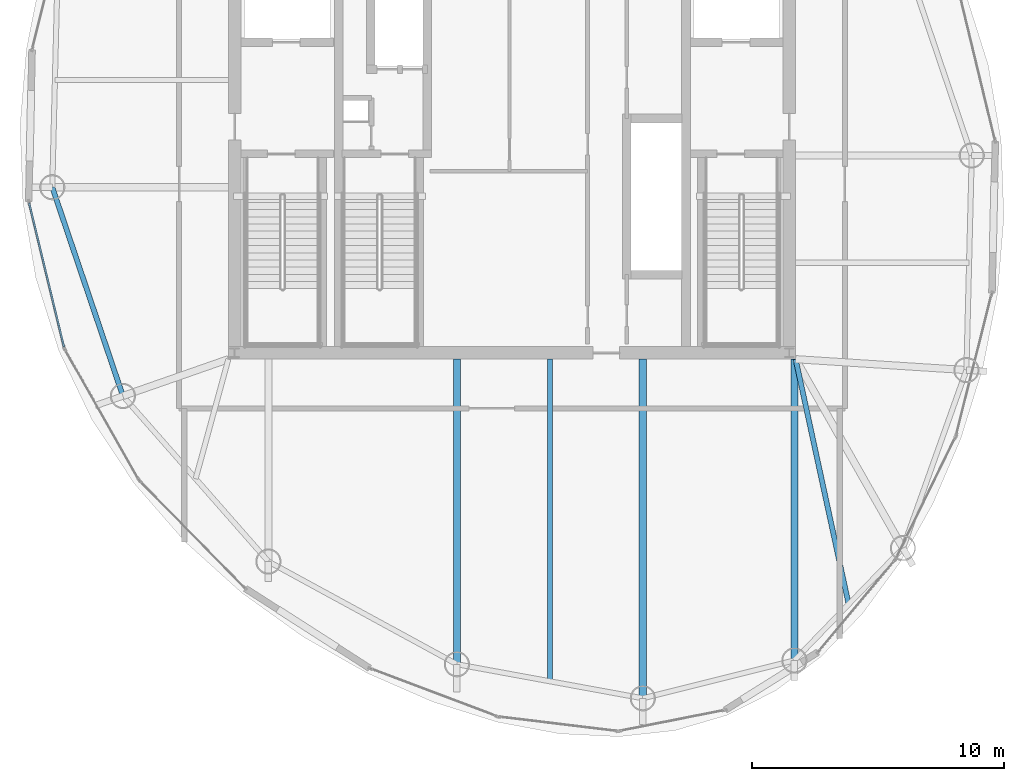
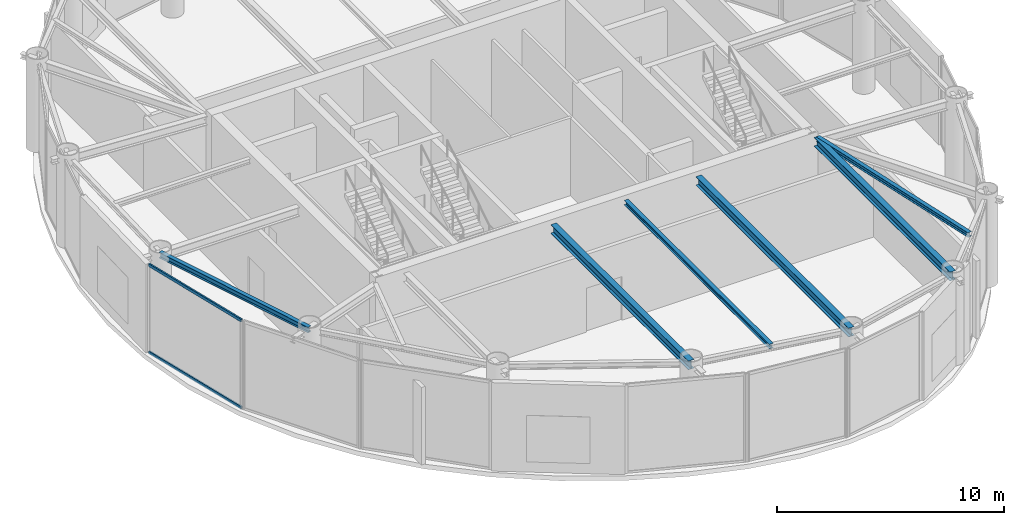
# One storey, part 7 of 23: 6 beams, 2 members, 1 element without a shape of its own.
"""IFC4 building model written with IfcOpenShell, lengths in metres."""

import ifcopenshell
import ifcopenshell.guid

model = None  # the IFC model being written
_history = None  # IfcOwnerHistory: only IFC2X3 demands one
_inside = {}  # id of a spatial element -> (the spatial element, [elements in it])
_under = {}  # id of a project, library or spatial element -> (it, [spatial elements below it])
_declared = {}  # id of a project -> (the project, [libraries it declares])
_typed = {}  # id of a type object -> (the type object, [elements of that type])
_made_of = {}  # id of a material, layer set ... -> (it, [elements and type objects made of it])


def new_model(schema):
    """Start an empty IFC model of exactly this schema.

    Asked for "IFC4X3", IfcOpenShell would pick the latest addendum, in which some entities
    have other attributes; the version numbers below select the first issue.
    IFC2X3 requires an IfcOwnerHistory on every rooted entity: one is made here for all.
    """
    global model, _history
    if schema == "IFC4X3":
        model = ifcopenshell.file(schema_version=(4, 3, 0, 0))
    else:
        model = ifcopenshell.file(schema=schema)
    _inside.clear()
    _under.clear()
    _declared.clear()
    _typed.clear()
    _made_of.clear()
    _history = None
    if model.schema == "IFC2X3":
        org = make("IfcOrganization", Name="unknown")
        user = make(
            "IfcPersonAndOrganization",
            ThePerson=make("IfcPerson", FamilyName="unknown"),
            TheOrganization=org,
        )
        app = make(
            "IfcApplication",
            ApplicationDeveloper=org,
            Version="unknown",
            ApplicationFullName="unknown",
            ApplicationIdentifier="unknown",
        )
        _history = make(
            "IfcOwnerHistory",
            OwningUser=user,
            OwningApplication=app,
            ChangeAction="ADDED",
            CreationDate=0,
        )
    return model


def make(cls, **values):
    """One entity of the class cls with the attributes given. An attribute that is None is left unset."""
    return model.create_entity(
        cls, **{name: value for name, value in values.items() if value is not None}
    )


def rooted(cls, **values):
    """An entity with a GlobalId (a new one), such as an element, a storey or a relation."""
    return make(cls, GlobalId=ifcopenshell.guid.new(), OwnerHistory=_history, **values)


def si_unit(unit_type, name, prefix=None):
    """IfcSIUnit, for example si_unit("LENGTHUNIT", "METRE", prefix="MILLI")."""
    return make("IfcSIUnit", UnitType=unit_type, Prefix=prefix, Name=name)


def assignment(units):
    """IfcUnitAssignment: the units of a project."""
    return None if units is None else make("IfcUnitAssignment", Units=units)


def point(xyz):
    """IfcCartesianPoint."""
    return None if xyz is None else make("IfcCartesianPoint", Coordinates=xyz)


def direction(xyz):
    """IfcDirection."""
    return None if xyz is None else make("IfcDirection", DirectionRatios=xyz)


def frame(location, z_axis=None, x_axis=None):
    """IfcAxis2Placement3D, a coordinate frame: its origin and axes. An axis left out is left unset."""
    return make(
        "IfcAxis2Placement3D",
        Location=point(location),
        Axis=direction(z_axis),
        RefDirection=direction(x_axis),
    )


def frame_2d(location, x_axis=None):
    """IfcAxis2Placement2D, a coordinate frame in the plane: its origin and x axis."""
    return make(
        "IfcAxis2Placement2D", Location=point(location), RefDirection=direction(x_axis)
    )


def origin():
    """The frame at (0, 0, 0) with its axes left unset."""
    return frame((0.0, 0.0, 0.0))


def origin_2d():
    """The frame at (0, 0) in the plane with its x axis left unset."""
    return frame_2d((0.0, 0.0))


def place(relative_to, where):
    """IfcLocalPlacement: puts the frame where relative to a parent placement (None: the world)."""
    return make(
        "IfcLocalPlacement", PlacementRelTo=relative_to, RelativePlacement=where
    )


def context(
    kind, dimensions, precision=None, world=None, true_north=None, identifier=None
):
    """IfcGeometricRepresentationContext, for example the 3D "Model" context."""
    return make(
        "IfcGeometricRepresentationContext",
        ContextIdentifier=identifier,
        ContextType=kind,
        CoordinateSpaceDimension=dimensions,
        Precision=precision,
        WorldCoordinateSystem=world,
        TrueNorth=true_north,
    )


def subcontext(parent, identifier, kind, view, scale=None):
    """IfcGeometricRepresentationSubContext, for example "Body" below "Model"."""
    return make(
        "IfcGeometricRepresentationSubContext",
        ContextIdentifier=identifier,
        ContextType=kind,
        ParentContext=parent,
        TargetScale=scale,
        TargetView=view,
    )


def project(units=None, contexts=None):
    """IfcProject with its units and contexts."""
    return rooted(
        "IfcProject",
        Name="project",
        RepresentationContexts=contexts,
        UnitsInContext=assignment(units),
    )


def spatial(cls, under=None, at=None, **own):
    """A site, building, storey or space (cls), placed at a placement, below another one or the project."""
    s = rooted(cls, ObjectPlacement=at, **own)
    if under is not None:
        _under.setdefault(under.id(), (under, []))[1].append(s)
    return s


def profile(cls, at=None, kind="AREA", **sizes):
    """A parametric profile (cls). Its sizes go by their IFC names, for example OverallWidth=200.0."""
    return make(cls, ProfileType=kind, Position=at, **sizes)


def hollow_rectangle(**sizes):
    """IfcRectangleHollowProfileDef."""
    return profile("IfcRectangleHollowProfileDef", **sizes)


def i_section(**sizes):
    """IfcIShapeProfileDef."""
    return profile("IfcIShapeProfileDef", **sizes)


def extrude(swept, where, along, depth):
    """IfcExtrudedAreaSolid: the profile swept, set in the frame where, extruded along a direction by depth."""
    return make(
        "IfcExtrudedAreaSolid",
        SweptArea=swept,
        Position=where,
        ExtrudedDirection=direction(along),
        Depth=depth,
    )


def shape(context_of_items, identifier, shape_type, items):
    """IfcShapeRepresentation: the items that make up one representation, for example the "Body"."""
    return make(
        "IfcShapeRepresentation",
        ContextOfItems=context_of_items,
        RepresentationIdentifier=identifier,
        RepresentationType=shape_type,
        Items=items,
    )


def material(Name=None, Category=None):
    """IfcMaterial."""
    return make("IfcMaterial", Name=Name, Category=Category)


def layer(
    of_material, thickness, ventilated=None, Name=None, Category=None, Priority=None
):
    """IfcMaterialLayer: one layer of a wall or slab, of a material (None: an air gap)."""
    return make(
        "IfcMaterialLayer",
        Material=of_material,
        LayerThickness=thickness,
        IsVentilated=ventilated,
        Name=Name,
        Category=Category,
        Priority=Priority,
    )


def layer_set(layers, Name=None):
    """IfcMaterialLayerSet."""
    return make("IfcMaterialLayerSet", MaterialLayers=layers, LayerSetName=Name)


def material_profile(
    of_material, cross_section, Name=None, Category=None, Priority=None
):
    """IfcMaterialProfile: a cross section and its material."""
    return make(
        "IfcMaterialProfile",
        Name=Name,
        Material=of_material,
        Profile=cross_section,
        Priority=Priority,
        Category=Category,
    )


def profile_set(profiles, Name=None, composite=None):
    """IfcMaterialProfileSet."""
    return make(
        "IfcMaterialProfileSet",
        Name=Name,
        MaterialProfiles=profiles,
        CompositeProfile=composite,
    )


def made_of(thing, what):
    """Note that an element or type object is made of a material, layer set ...; save() writes the relation."""
    if what is not None:
        _made_of.setdefault(what.id(), (what, []))[1].append(thing)
    return thing


def type_object(cls, material=None, **own):
    """A type object (cls), such as IfcWallType, which elements share."""
    return made_of(rooted(cls, **own), material)


def element(
    cls,
    number,
    at=None,
    inside=None,
    cuts=None,
    type_object=None,
    material=None,
    context=None,
    identifier="Body",
    shape_type=None,
    held_by="IfcProductDefinitionShape",
    body=None,
    shapes=None,
    **own,
):
    """One element of the class cls, such as IfcWall. Its Tag is "e" and its number.

    at: its placement. inside: the storey or other place that contains it. cuts: it is an
    opening in that element (IfcRelVoidsElement). A single representation is given by context,
    identifier, shape_type and body (its items); several are given by shapes. held_by: the class
    of the entity that holds the representations. save() writes the other relations.
    """
    e = rooted(cls, Tag="e%d" % number, ObjectPlacement=at, **own)
    if body is not None:
        shapes = [shape(context, identifier, shape_type, body)]
    if shapes is not None:
        e.Representation = make(held_by, Representations=shapes)
    if inside is not None:
        _inside.setdefault(inside.id(), (inside, []))[1].append(e)
    if cuts is not None:
        rooted(
            "IfcRelVoidsElement", RelatingBuildingElement=cuts, RelatedOpeningElement=e
        )
    if type_object is not None:
        _typed.setdefault(type_object.id(), (type_object, []))[1].append(e)
    return made_of(e, material)


def aggregate(whole, parts):
    """IfcRelAggregates: a whole, such as a stair, and the parts it consists of."""
    return rooted("IfcRelAggregates", RelatingObject=whole, RelatedObjects=parts)


def save(model, path):
    """Write the relations noted so far, then the file.

    IfcRelAggregates (storeys below a building ...), IfcRelContainedInSpatialStructure (elements
    in a storey), IfcRelDefinesByType, IfcRelAssociatesMaterial and IfcRelDeclares: one each for
    every whole, place, type object, material and project.
    """
    for whole, parts in _under.values():
        aggregate(whole, parts)
    for where, things in _inside.values():
        rooted(
            "IfcRelContainedInSpatialStructure",
            RelatedElements=things,
            RelatingStructure=where,
        )
    for kind, things in _typed.values():
        rooted("IfcRelDefinesByType", RelatedObjects=things, RelatingType=kind)
    for what, things in _made_of.values():
        rooted("IfcRelAssociatesMaterial", RelatedObjects=things, RelatingMaterial=what)
    for by, libraries in _declared.values():
        rooted("IfcRelDeclares", RelatingContext=by, RelatedDefinitions=libraries)
    model.write(path)


model = new_model("IFC4")

# Units and contexts
model_context = context("Model", 3, precision=1e-05, world=origin(), true_north=direction((0.0, 1.0)))
body_context = subcontext(model_context, "Body", "Model", "MODEL_VIEW")
ifc_project = project(units=[si_unit("LENGTHUNIT", "METRE"), si_unit("AREAUNIT", "SQUARE_METRE"), si_unit("VOLUMEUNIT", "CUBIC_METRE"), si_unit("PLANEANGLEUNIT", "RADIAN"), si_unit("MASSUNIT", "GRAM", prefix="KILO")], contexts=[model_context])

# Site, building, storey
site_placement = place(None, origin())
site = spatial("IfcSite", under=ifc_project, at=site_placement, CompositionType="ELEMENT")
building_placement = place(site_placement, origin())
building = spatial("IfcBuilding", under=site, at=building_placement, Name="Bramvorn Convention Spire", CompositionType="ELEMENT")
storey_placement = place(building_placement, frame((0.0, 0.0, 307.5)))
storey = spatial("IfcBuildingStorey", under=building, at=storey_placement, Name="L78", CompositionType="ELEMENT", Elevation=307.5)

# Beams
ifc_material_1 = material(Name="Steel CSA G40.21 Grade 350 (350W)", Category="steel")
ifc_material_profile_1 = material_profile(ifc_material_1, i_section(OverallWidth=0.201904296875, OverallDepth=0.2470703125, WebThickness=0.00732421875, FlangeThickness=0.010986328125, FilletRadius=0.011962890625, at=origin_2d()))
ifc_profile_set_1 = profile_set([ifc_material_profile_1], Name="Steel CSA G40.21 Grade 350 (350W) - W250X49")
beam_type_1 = type_object("IfcBeamType", Name="BM-W250X49", PredefinedType="JOIST", material=ifc_profile_set_1)
beam_1_placement = place(storey_placement, frame((49.25, 18.550048828125, 4.62646484375), z_axis=(0.211461445939, -0.977386339623, 0.0), x_axis=(0.977386339623, 0.211461445939, 0.0)))
element("IfcBeam", 1, at=beam_1_placement, inside=storey, type_object=beam_type_1, Name="L78 composite floor joist 01", PredefinedType="JOIST", context=body_context, shape_type="SweptSolid", body=[
    extrude(i_section(OverallWidth=0.201904296875, OverallDepth=0.2470703125, WebThickness=0.00732421875, FlangeThickness=0.010986328125, FilletRadius=0.011962890625, at=origin_2d()), origin(), (0.0, 0.0, 1.0), 9.9462890625),
])
beam_2_placement = place(storey_placement, frame((39.501953125, 18.550048828125, 4.62646484375), z_axis=(0.0, -1.0, 0.0), x_axis=(1.0, 0.0, 0.0)))
element("IfcBeam", 2, at=beam_2_placement, inside=storey, type_object=beam_type_1, Name="L78 composite floor joist 15", PredefinedType="JOIST", context=body_context, shape_type="SweptSolid", body=[
    extrude(i_section(OverallWidth=0.201904296875, OverallDepth=0.2470703125, WebThickness=0.00732421875, FlangeThickness=0.010986328125, FilletRadius=0.011962890625, at=origin_2d()), origin(), (0.0, 0.0, 1.0), 12.77587890625),
])
ifc_material_profile_2 = material_profile(ifc_material_1, i_section(OverallWidth=0.202880859375, OverallDepth=0.302978515625, WebThickness=0.007568359375, FlangeThickness=0.01318359375, FilletRadius=0.013916015625, at=origin_2d()))
ifc_profile_set_2 = profile_set([ifc_material_profile_2], Name="Steel CSA G40.21 Grade 350 (350W) - W310X60")
beam_type_2 = type_object("IfcBeamType", Name="BM-W310X60", PredefinedType="JOIST", material=ifc_profile_set_2)
beam_3_placement = place(storey_placement, frame((19.765380859375, 25.37060546875, 4.598388671875), z_axis=(0.320531023763, -0.947238018032, 0.0), x_axis=(0.947238018032, 0.320531023763, 0.0)))
element("IfcBeam", 3, at=beam_3_placement, inside=storey, type_object=beam_type_2, Name="L78 mega-column ring beam 12", PredefinedType="JOIST", context=body_context, shape_type="SweptSolid", body=[
    extrude(i_section(OverallWidth=0.202880859375, OverallDepth=0.302978515625, WebThickness=0.007568359375, FlangeThickness=0.01318359375, FilletRadius=0.013916015625, at=origin_2d()), origin(), (0.0, 0.0, 1.0), 8.74169921875),
])
ifc_material_profile_3 = material_profile(ifc_material_1, i_section(OverallWidth=0.283935546875, OverallDepth=0.47607421875, WebThickness=0.014892578125, FlangeThickness=0.02392578125, FilletRadius=0.01806640625, at=origin_2d()))
ifc_profile_set_3 = profile_set([ifc_material_profile_3], Name="Steel CSA G40.21 Grade 350 (350W) - W460X158")
beam_type_3 = type_object("IfcBeamType", Name="BM-W460X158", PredefinedType="SPANDREL", material=ifc_profile_set_3)
beam_4_placement = place(storey_placement, frame((49.199951171875, 18.550048828125, 4.511962890625), z_axis=(0.0, -1.0, 0.0), x_axis=(1.0, 0.0, 0.0)))
element("IfcBeam", 4, at=beam_4_placement, inside=storey, type_object=beam_type_3, Name="L78 radial floor girder MC01", PredefinedType="SPANDREL", context=body_context, shape_type="SweptSolid", body=[
    extrude(i_section(OverallWidth=0.283935546875, OverallDepth=0.47607421875, WebThickness=0.014892578125, FlangeThickness=0.02392578125, FilletRadius=0.01806640625, at=origin_2d()), origin(), (0.0, 0.0, 1.0), 11.948974609375),
])
beam_5_placement = place(storey_placement, frame((35.8154296875, 18.550048828125, 4.511962890625), z_axis=(0.0, -1.0, 0.0), x_axis=(1.0, 0.0, 0.0)))
element("IfcBeam", 5, at=beam_5_placement, inside=storey, type_object=beam_type_3, Name="L78 radial floor girder MC15", PredefinedType="SPANDREL", context=body_context, shape_type="SweptSolid", body=[
    extrude(i_section(OverallWidth=0.283935546875, OverallDepth=0.47607421875, WebThickness=0.014892578125, FlangeThickness=0.02392578125, FilletRadius=0.01806640625, at=origin_2d()), origin(), (0.0, 0.0, 1.0), 12.100830078125),
])
beam_6_placement = place(storey_placement, frame((43.1884765625, 18.550048828125, 4.511962890625), z_axis=(0.0, -1.0, 0.0), x_axis=(1.0, 0.0, 0.0)))
element("IfcBeam", 6, at=beam_6_placement, inside=storey, type_object=beam_type_3, Name="L78 radial floor girder MC16", PredefinedType="SPANDREL", context=body_context, shape_type="SweptSolid", body=[
    extrude(i_section(OverallWidth=0.283935546875, OverallDepth=0.47607421875, WebThickness=0.014892578125, FlangeThickness=0.02392578125, FilletRadius=0.01806640625, at=origin_2d()), origin(), (0.0, 0.0, 1.0), 13.450927734375),
])

# Curtain wall, members
ifc_material_2 = material(Name="Anodised Bronze Unitised Curtain Wall", Category="aluminium")
ifc_layer = layer(ifc_material_2, 0.199951171875)
ifc_layer_set = layer_set([ifc_layer], Name="Anodised Bronze Unitised Curtain Wall - CW-PLANT-LOUVRE")
curtain_wall_type = type_object("IfcCurtainWallType", Name="CW-PLANT-LOUVRE", PredefinedType="USERDEFINED", material=ifc_layer_set)
curtain_wall_placement = place(storey_placement, origin())
curtain_wall = element("IfcCurtainWall", 7, at=curtain_wall_placement, inside=storey, type_object=curtain_wall_type, Name="L78 fritted glass curtain wall 18", ObjectType="UNITISED CURTAIN WALL", PredefinedType="USERDEFINED")
ifc_material_3 = material(Name="Anodised Bronze Aluminium 6063-T6", Category="aluminium")
ifc_material_profile_4 = material_profile(ifc_material_3, hollow_rectangle(XDim=0.080078125, YDim=0.159912109375, WallThickness=0.00390625, InnerFilletRadius=0.0009765625, OuterFilletRadius=0.00390625, at=origin_2d()))
ifc_profile_set_4 = profile_set([ifc_material_profile_4], Name="Anodised Bronze Aluminium 6063-T6 - CWT80X160")
member_type = type_object("IfcMemberType", Name="CW-TRN-150", PredefinedType="USERDEFINED", material=ifc_profile_set_4)
member_1_placement = place(storey_placement, frame((20.232421875, 19.029296875, 0.030029296875), z_axis=(-0.235521670336, 0.971869097565, 0.0), x_axis=(-0.971869097565, -0.235521670336, 0.0)))
member_1 = element("IfcMember", 8, at=member_1_placement, type_object=member_type, Name="CW5 transom 1.1", ObjectType="TRANSOM", PredefinedType="USERDEFINED", context=body_context, shape_type="SweptSolid", body=[
    extrude(hollow_rectangle(XDim=0.080078125, YDim=0.159912109375, WallThickness=0.00390625, InnerFilletRadius=0.0009765625, OuterFilletRadius=0.00390625, at=origin_2d()), origin(), (0.0, 0.0, 1.0), 5.8857421875),
])
member_2_placement = place(storey_placement, frame((20.232421875, 19.029296875, 4.719970703125), z_axis=(-0.235521670336, 0.971869097565, 0.0), x_axis=(-0.971869097565, -0.235521670336, 0.0)))
member_2 = element("IfcMember", 9, at=member_2_placement, type_object=member_type, Name="CW5 transom 1.2", ObjectType="TRANSOM", PredefinedType="USERDEFINED", context=body_context, shape_type="SweptSolid", body=[
    extrude(hollow_rectangle(XDim=0.080078125, YDim=0.159912109375, WallThickness=0.00390625, InnerFilletRadius=0.0009765625, OuterFilletRadius=0.00390625, at=origin_2d()), origin(), (0.0, 0.0, 1.0), 5.8857421875),
])
aggregate(curtain_wall, [member_1, member_2])

save(model, "model.ifc")
